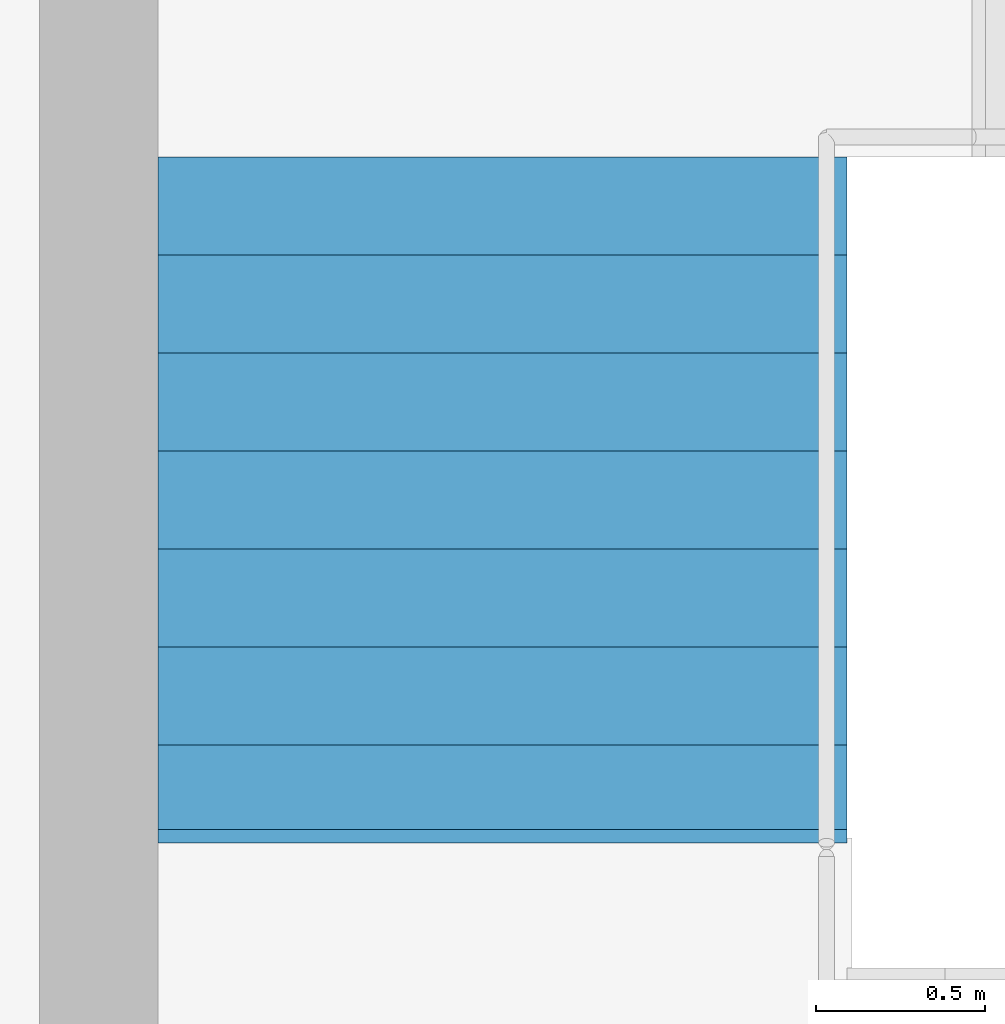
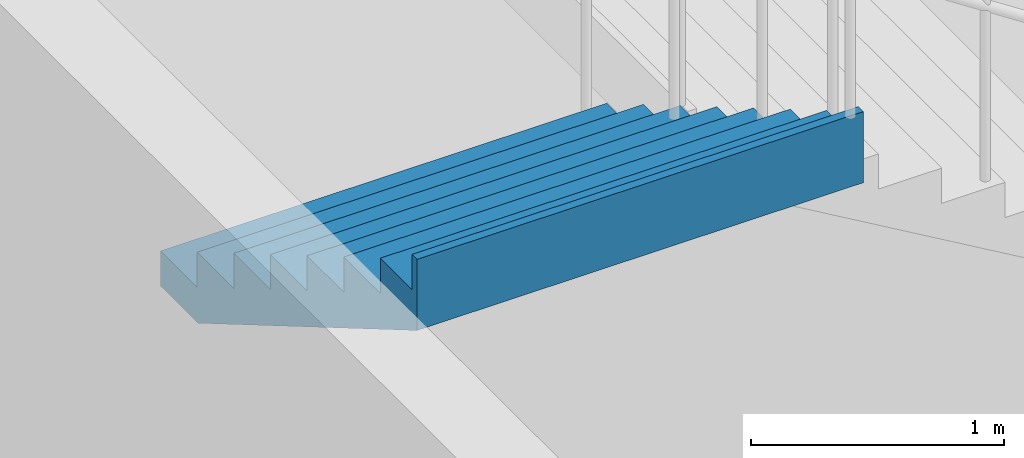
# One storey, part 57 of 72: 1 stair flight, 1 element without a shape of its own.
"""IFC4 building model written with IfcOpenShell, lengths in metres."""

import ifcopenshell
import ifcopenshell.guid

model = None  # the IFC model being written
_history = None  # IfcOwnerHistory: only IFC2X3 demands one
_inside = {}  # id of a spatial element -> (the spatial element, [elements in it])
_under = {}  # id of a project, library or spatial element -> (it, [spatial elements below it])
_declared = {}  # id of a project -> (the project, [libraries it declares])
_typed = {}  # id of a type object -> (the type object, [elements of that type])
_made_of = {}  # id of a material, layer set ... -> (it, [elements and type objects made of it])


def new_model(schema):
    """Start an empty IFC model of exactly this schema.

    Asked for "IFC4X3", IfcOpenShell would pick the latest addendum, in which some entities
    have other attributes; the version numbers below select the first issue.
    IFC2X3 requires an IfcOwnerHistory on every rooted entity: one is made here for all.
    """
    global model, _history
    if schema == "IFC4X3":
        model = ifcopenshell.file(schema_version=(4, 3, 0, 0))
    else:
        model = ifcopenshell.file(schema=schema)
    _inside.clear()
    _under.clear()
    _declared.clear()
    _typed.clear()
    _made_of.clear()
    _history = None
    if model.schema == "IFC2X3":
        org = make("IfcOrganization", Name="unknown")
        user = make(
            "IfcPersonAndOrganization",
            ThePerson=make("IfcPerson", FamilyName="unknown"),
            TheOrganization=org,
        )
        app = make(
            "IfcApplication",
            ApplicationDeveloper=org,
            Version="unknown",
            ApplicationFullName="unknown",
            ApplicationIdentifier="unknown",
        )
        _history = make(
            "IfcOwnerHistory",
            OwningUser=user,
            OwningApplication=app,
            ChangeAction="ADDED",
            CreationDate=0,
        )
    return model


def make(cls, **values):
    """One entity of the class cls with the attributes given. An attribute that is None is left unset."""
    return model.create_entity(
        cls, **{name: value for name, value in values.items() if value is not None}
    )


def rooted(cls, **values):
    """An entity with a GlobalId (a new one), such as an element, a storey or a relation."""
    return make(cls, GlobalId=ifcopenshell.guid.new(), OwnerHistory=_history, **values)


def si_unit(unit_type, name, prefix=None):
    """IfcSIUnit, for example si_unit("LENGTHUNIT", "METRE", prefix="MILLI")."""
    return make("IfcSIUnit", UnitType=unit_type, Prefix=prefix, Name=name)


def assignment(units):
    """IfcUnitAssignment: the units of a project."""
    return None if units is None else make("IfcUnitAssignment", Units=units)


def point(xyz):
    """IfcCartesianPoint."""
    return None if xyz is None else make("IfcCartesianPoint", Coordinates=xyz)


def direction(xyz):
    """IfcDirection."""
    return None if xyz is None else make("IfcDirection", DirectionRatios=xyz)


def frame(location, z_axis=None, x_axis=None):
    """IfcAxis2Placement3D, a coordinate frame: its origin and axes. An axis left out is left unset."""
    return make(
        "IfcAxis2Placement3D",
        Location=point(location),
        Axis=direction(z_axis),
        RefDirection=direction(x_axis),
    )


def origin():
    """The frame at (0, 0, 0) with its axes left unset."""
    return frame((0.0, 0.0, 0.0))


def place(relative_to, where):
    """IfcLocalPlacement: puts the frame where relative to a parent placement (None: the world)."""
    return make(
        "IfcLocalPlacement", PlacementRelTo=relative_to, RelativePlacement=where
    )


def context(
    kind, dimensions, precision=None, world=None, true_north=None, identifier=None
):
    """IfcGeometricRepresentationContext, for example the 3D "Model" context."""
    return make(
        "IfcGeometricRepresentationContext",
        ContextIdentifier=identifier,
        ContextType=kind,
        CoordinateSpaceDimension=dimensions,
        Precision=precision,
        WorldCoordinateSystem=world,
        TrueNorth=true_north,
    )


def subcontext(parent, identifier, kind, view, scale=None):
    """IfcGeometricRepresentationSubContext, for example "Body" below "Model"."""
    return make(
        "IfcGeometricRepresentationSubContext",
        ContextIdentifier=identifier,
        ContextType=kind,
        ParentContext=parent,
        TargetScale=scale,
        TargetView=view,
    )


def project(units=None, contexts=None):
    """IfcProject with its units and contexts."""
    return rooted(
        "IfcProject",
        Name="project",
        RepresentationContexts=contexts,
        UnitsInContext=assignment(units),
    )


def spatial(cls, under=None, at=None, **own):
    """A site, building, storey or space (cls), placed at a placement, below another one or the project."""
    s = rooted(cls, ObjectPlacement=at, **own)
    if under is not None:
        _under.setdefault(under.id(), (under, []))[1].append(s)
    return s


def point_list(points):
    """IfcCartesianPointList2D or 3D."""
    cls = (
        "IfcCartesianPointList2D" if len(points[0]) == 2 else "IfcCartesianPointList3D"
    )
    return make(cls, CoordList=points)


def triangles(points, corners, closed=None, point_numbers=None):
    """IfcTriangulatedFaceSet: each triangle names its three corners, points numbered from 1."""
    return make(
        "IfcTriangulatedFaceSet",
        Coordinates=point_list(points),
        Closed=closed,
        CoordIndex=corners,
        PnIndex=point_numbers,
    )


def shape(context_of_items, identifier, shape_type, items):
    """IfcShapeRepresentation: the items that make up one representation, for example the "Body"."""
    return make(
        "IfcShapeRepresentation",
        ContextOfItems=context_of_items,
        RepresentationIdentifier=identifier,
        RepresentationType=shape_type,
        Items=items,
    )


def material(Name=None, Category=None):
    """IfcMaterial."""
    return make("IfcMaterial", Name=Name, Category=Category)


def made_of(thing, what):
    """Note that an element or type object is made of a material, layer set ...; save() writes the relation."""
    if what is not None:
        _made_of.setdefault(what.id(), (what, []))[1].append(thing)
    return thing


def type_object(cls, material=None, **own):
    """A type object (cls), such as IfcWallType, which elements share."""
    return made_of(rooted(cls, **own), material)


def element(
    cls,
    number,
    at=None,
    inside=None,
    cuts=None,
    type_object=None,
    material=None,
    context=None,
    identifier="Body",
    shape_type=None,
    held_by="IfcProductDefinitionShape",
    body=None,
    shapes=None,
    **own,
):
    """One element of the class cls, such as IfcWall. Its Tag is "e" and its number.

    at: its placement. inside: the storey or other place that contains it. cuts: it is an
    opening in that element (IfcRelVoidsElement). A single representation is given by context,
    identifier, shape_type and body (its items); several are given by shapes. held_by: the class
    of the entity that holds the representations. save() writes the other relations.
    """
    e = rooted(cls, Tag="e%d" % number, ObjectPlacement=at, **own)
    if body is not None:
        shapes = [shape(context, identifier, shape_type, body)]
    if shapes is not None:
        e.Representation = make(held_by, Representations=shapes)
    if inside is not None:
        _inside.setdefault(inside.id(), (inside, []))[1].append(e)
    if cuts is not None:
        rooted(
            "IfcRelVoidsElement", RelatingBuildingElement=cuts, RelatedOpeningElement=e
        )
    if type_object is not None:
        _typed.setdefault(type_object.id(), (type_object, []))[1].append(e)
    return made_of(e, material)


def aggregate(whole, parts):
    """IfcRelAggregates: a whole, such as a stair, and the parts it consists of."""
    return rooted("IfcRelAggregates", RelatingObject=whole, RelatedObjects=parts)


def save(model, path):
    """Write the relations noted so far, then the file.

    IfcRelAggregates (storeys below a building ...), IfcRelContainedInSpatialStructure (elements
    in a storey), IfcRelDefinesByType, IfcRelAssociatesMaterial and IfcRelDeclares: one each for
    every whole, place, type object, material and project.
    """
    for whole, parts in _under.values():
        aggregate(whole, parts)
    for where, things in _inside.values():
        rooted(
            "IfcRelContainedInSpatialStructure",
            RelatedElements=things,
            RelatingStructure=where,
        )
    for kind, things in _typed.values():
        rooted("IfcRelDefinesByType", RelatedObjects=things, RelatingType=kind)
    for what, things in _made_of.values():
        rooted("IfcRelAssociatesMaterial", RelatedObjects=things, RelatingMaterial=what)
    for by, libraries in _declared.values():
        rooted("IfcRelDeclares", RelatingContext=by, RelatedDefinitions=libraries)
    model.write(path)


model = new_model("IFC4")

# Units and contexts
model_context = context("Model", 3, precision=1e-05, world=origin(), true_north=direction((0.0, 1.0)))
body_context = subcontext(model_context, "Body", "Model", "MODEL_VIEW")
ifc_project = project(units=[si_unit("LENGTHUNIT", "METRE"), si_unit("AREAUNIT", "SQUARE_METRE"), si_unit("VOLUMEUNIT", "CUBIC_METRE"), si_unit("PLANEANGLEUNIT", "RADIAN"), si_unit("MASSUNIT", "GRAM", prefix="KILO")], contexts=[model_context])

# Site, building, storey
site_placement = place(None, origin())
site = spatial("IfcSite", under=ifc_project, at=site_placement, CompositionType="ELEMENT")
building_placement = place(site_placement, origin())
building = spatial("IfcBuilding", under=site, at=building_placement, Name="Sillaruma Civic Art Gallery", CompositionType="ELEMENT")
storey_placement = place(building_placement, frame((0.0, 0.0, 10.8798828125)))
storey = spatial("IfcBuildingStorey", under=building, at=storey_placement, Name="L02", CompositionType="ELEMENT", Elevation=10.8798828125)

# Stair, stair flight
ifc_material = material(Name="Concrete H35 (35 MPa)", Category="concrete")
stair_type = type_object("IfcStairType", Name="STR-4F-32", PredefinedType="USERDEFINED", material=ifc_material)
stair_placement = place(storey_placement, origin())
stair = element("IfcStair", 1, at=stair_placement, inside=storey, type_object=stair_type, Name="Protected Exit Stair ST-02 (West Bar North) (L02)", ObjectType="THREE_RETURN_STAIR", PredefinedType="USERDEFINED")
stair_flight_type = type_object("IfcStairFlightType", Name="SFL-STR-8", PredefinedType="STRAIGHT", material=ifc_material)
stair_flight_placement = place(storey_placement, frame((63.780029296875, 85.35009765625, 4.080078125), z_axis=(0.0, 0.0, 1.0), x_axis=(0.0, -1.0, 0.0)))
stair_flight = element("IfcStairFlight", 2, at=stair_flight_placement, type_object=stair_flight_type, Name="ST-02 flight 4", NumberOfRisers=8, NumberOfTreads=7, PredefinedType="STRAIGHT", RiserHeight=0.17, TreadLength=0.29, context=body_context, shape_type="Tessellation", body=[
    triangles([(0.0, -1.02001953125, 0.0), (0.29, -1.02001953125, 0.0), (0.296443, -1.02001953125, 0.0), (0.58, -1.02001953125, 0.166223), (0.87, -1.02001953125, 0.336223), (1.16, -1.02001953125, 0.506223), (1.45, -1.02001953125, 0.676223), (1.74, -1.02001953125, 0.846223), (1.990029, -1.02001953125, 0.992792), (2.030029, -1.02001953125, 1.01624), (2.030029, -1.02001953125, 1.36), (1.990029, -1.02001953125, 1.36), (1.990029, -1.02001953125, 1.19), (1.74, -1.02001953125, 1.19), (1.74, -1.02001953125, 1.02), (1.45, -1.02001953125, 1.02), (1.45, -1.02001953125, 0.85), (1.16, -1.02001953125, 0.85), (1.16, -1.02001953125, 0.68), (0.87, -1.02001953125, 0.68), (0.87, -1.02001953125, 0.51), (0.58, -1.02001953125, 0.51), (0.58, -1.02001953125, 0.34), (0.296443, -1.02001953125, 0.34), (0.29, -1.02001953125, 0.34), (0.29, -1.02001953125, 0.17), (0.0, -1.02001953125, 0.17), (0.0, -0.05, 0.0), (0.29, -0.05, 0.0), (0.296443, -0.05, 0.0), (0.58, -0.05, 0.166223), (0.87, -0.05, 0.336223), (1.16, -0.05, 0.506223), (1.45, -0.05, 0.676223), (1.74, -0.05, 0.846223), (1.990029, -0.05, 0.992792), (2.030029, -0.05, 1.01624), (2.030029, -0.05, 1.36), (1.990029, -0.05, 1.36), (1.990029, -0.05, 1.19), (1.74, -0.05, 1.19), (1.74, -0.05, 1.02), (1.45, -0.05, 1.02), (1.45, -0.05, 0.85), (1.16, -0.05, 0.85), (1.16, -0.05, 0.68), (0.87, -0.05, 0.68), (0.87, -0.05, 0.51), (0.58, -0.05, 0.51), (0.58, -0.05, 0.34), (0.296443, -0.05, 0.34), (0.29, -0.05, 0.34), (0.29, -0.05, 0.17), (0.0, -0.05, 0.17), (0.0, -0.0375, 0.0), (0.29, -0.0375, 0.0), (0.296443, -0.0375, 0.0), (0.58, -0.0375, 0.166223), (0.87, -0.0375, 0.336223), (1.16, -0.0375, 0.506223), (1.45, -0.0375, 0.676223), (1.74, -0.0375, 0.846223), (1.990029, -0.0375, 0.992792), (2.030029, -0.0375, 1.01624), (2.030029, -0.0375, 1.36), (1.990029, -0.0375, 1.36), (1.990029, -0.0375, 1.19), (1.74, -0.0375, 1.19), (1.74, -0.0375, 1.02), (1.45, -0.0375, 1.02), (1.45, -0.0375, 0.85), (1.16, -0.0375, 0.85), (1.16, -0.0375, 0.68), (0.87, -0.0375, 0.68), (0.87, -0.0375, 0.51), (0.58, -0.0375, 0.51), (0.58, -0.0375, 0.34), (0.296443, -0.0375, 0.34), (0.29, -0.0375, 0.34), (0.29, -0.0375, 0.17), (0.0, -0.0375, 0.17), (0.0, -0.025, 0.0), (0.29, -0.025, 0.0), (0.296443, -0.025, 0.0), (0.58, -0.025, 0.166223), (0.87, -0.025, 0.336223), (1.16, -0.025, 0.506223), (1.45, -0.025, 0.676223), (1.74, -0.025, 0.846223), (1.990029, -0.025, 0.992792), (2.030029, -0.025, 1.01624), (2.030029, -0.025, 1.36), (1.990029, -0.025, 1.36), (1.990029, -0.025, 1.19), (1.74, -0.025, 1.19), (1.74, -0.025, 1.02), (1.45, -0.025, 1.02), (1.45, -0.025, 0.85), (1.16, -0.025, 0.85), (1.16, -0.025, 0.68), (0.87, -0.025, 0.68), (0.87, -0.025, 0.51), (0.58, -0.025, 0.51), (0.58, -0.025, 0.34), (0.296443, -0.025, 0.34), (0.29, -0.025, 0.34), (0.29, -0.025, 0.17), (0.0, -0.025, 0.17), (0.0, -0.0125, 0.0), (0.29, -0.0125, 0.0), (0.296443, -0.0125, 0.0), (0.58, -0.0125, 0.166223), (0.87, -0.0125, 0.336223), (1.16, -0.0125, 0.506223), (1.45, -0.0125, 0.676223), (1.74, -0.0125, 0.846223), (1.990029, -0.0125, 0.992792), (2.030029, -0.0125, 1.01624), (2.030029, -0.0125, 1.36), (1.990029, -0.0125, 1.36), (1.990029, -0.0125, 1.19), (1.74, -0.0125, 1.19), (1.74, -0.0125, 1.02), (1.45, -0.0125, 1.02), (1.45, -0.0125, 0.85), (1.16, -0.0125, 0.85), (1.16, -0.0125, 0.68), (0.87, -0.0125, 0.68), (0.87, -0.0125, 0.51), (0.58, -0.0125, 0.51), (0.58, -0.0125, 0.34), (0.296443, -0.0125, 0.34), (0.29, -0.0125, 0.34), (0.29, -0.0125, 0.17), (0.0, -0.0125, 0.17), (0.0, 0.0, 0.0), (0.29, 0.0, 0.0), (0.296443, 0.0, 0.0), (0.58, 0.0, 0.166223), (0.87, 0.0, 0.336223), (1.16, 0.0, 0.506223), (1.45, 0.0, 0.676223), (1.74, 0.0, 0.846223), (1.990029, 0.0, 0.992792), (2.030029, 0.0, 1.01624), (2.030029, 0.0, 1.36), (1.990029, 0.0, 1.36), (1.990029, 0.0, 1.19), (1.74, 0.0, 1.19), (1.74, 0.0, 1.02), (1.45, 0.0, 1.02), (1.45, 0.0, 0.85), (1.16, 0.0, 0.85), (1.16, 0.0, 0.68), (0.87, 0.0, 0.68), (0.87, 0.0, 0.51), (0.58, 0.0, 0.51), (0.58, 0.0, 0.34), (0.296443, 0.0, 0.34), (0.29, 0.0, 0.34), (0.29, 0.0, 0.17), (0.0, 0.0, 0.17), (0.0, 0.0125, 0.0), (0.29, 0.0125, 0.0), (0.296443, 0.0125, 0.0), (0.58, 0.0125, 0.166223), (0.87, 0.0125, 0.336223), (1.16, 0.0125, 0.506223), (1.45, 0.0125, 0.676223), (1.74, 0.0125, 0.846223), (1.990029, 0.0125, 0.992792), (2.030029, 0.0125, 1.01624), (2.030029, 0.0125, 1.36), (1.990029, 0.0125, 1.36), (1.990029, 0.0125, 1.19), (1.74, 0.0125, 1.19), (1.74, 0.0125, 1.02), (1.45, 0.0125, 1.02), (1.45, 0.0125, 0.85), (1.16, 0.0125, 0.85), (1.16, 0.0125, 0.68), (0.87, 0.0125, 0.68), (0.87, 0.0125, 0.51), (0.58, 0.0125, 0.51), (0.58, 0.0125, 0.34), (0.296443, 0.0125, 0.34), (0.29, 0.0125, 0.34), (0.29, 0.0125, 0.17), (0.0, 0.0125, 0.17), (0.0, 0.025, 0.0), (0.29, 0.025, 0.0), (0.296443, 0.025, 0.0), (0.58, 0.025, 0.166223), (0.87, 0.025, 0.336223), (1.16, 0.025, 0.506223), (1.45, 0.025, 0.676223), (1.74, 0.025, 0.846223), (1.990029, 0.025, 0.992792), (2.030029, 0.025, 1.01624), (2.030029, 0.025, 1.36), (1.990029, 0.025, 1.36), (1.990029, 0.025, 1.19), (1.74, 0.025, 1.19), (1.74, 0.025, 1.02), (1.45, 0.025, 1.02), (1.45, 0.025, 0.85), (1.16, 0.025, 0.85), (1.16, 0.025, 0.68), (0.87, 0.025, 0.68), (0.87, 0.025, 0.51), (0.58, 0.025, 0.51), (0.58, 0.025, 0.34), (0.296443, 0.025, 0.34), (0.29, 0.025, 0.34), (0.29, 0.025, 0.17), (0.0, 0.025, 0.17), (0.0, 0.0375, 0.0), (0.29, 0.0375, 0.0), (0.296443, 0.0375, 0.0), (0.58, 0.0375, 0.166223), (0.87, 0.0375, 0.336223), (1.16, 0.0375, 0.506223), (1.45, 0.0375, 0.676223), (1.74, 0.0375, 0.846223), (1.990029, 0.0375, 0.992792), (2.030029, 0.0375, 1.01624), (2.030029, 0.0375, 1.36), (1.990029, 0.0375, 1.36), (1.990029, 0.0375, 1.19), (1.74, 0.0375, 1.19), (1.74, 0.0375, 1.02), (1.45, 0.0375, 1.02), (1.45, 0.0375, 0.85), (1.16, 0.0375, 0.85), (1.16, 0.0375, 0.68), (0.87, 0.0375, 0.68), (0.87, 0.0375, 0.51), (0.58, 0.0375, 0.51), (0.58, 0.0375, 0.34), (0.296443, 0.0375, 0.34), (0.29, 0.0375, 0.34), (0.29, 0.0375, 0.17), (0.0, 0.0375, 0.17), (0.0, 0.05, 0.0), (0.29, 0.05, 0.0), (0.296443, 0.05, 0.0), (0.58, 0.05, 0.166223), (0.87, 0.05, 0.336223), (1.16, 0.05, 0.506223), (1.45, 0.05, 0.676223), (1.74, 0.05, 0.846223), (1.990029, 0.05, 0.992792), (2.030029, 0.05, 1.01624), (2.030029, 0.05, 1.36), (1.990029, 0.05, 1.36), (1.990029, 0.05, 1.19), (1.74, 0.05, 1.19), (1.74, 0.05, 1.02), (1.45, 0.05, 1.02), (1.45, 0.05, 0.85), (1.16, 0.05, 0.85), (1.16, 0.05, 0.68), (0.87, 0.05, 0.68), (0.87, 0.05, 0.51), (0.58, 0.05, 0.51), (0.58, 0.05, 0.34), (0.296443, 0.05, 0.34), (0.29, 0.05, 0.34), (0.29, 0.05, 0.17), (0.0, 0.05, 0.17), (0.0, 1.02001953125, 0.0), (0.29, 1.02001953125, 0.0), (0.296443, 1.02001953125, 0.0), (0.58, 1.02001953125, 0.166223), (0.87, 1.02001953125, 0.336223), (1.16, 1.02001953125, 0.506223), (1.45, 1.02001953125, 0.676223), (1.74, 1.02001953125, 0.846223), (1.990029, 1.02001953125, 0.992792), (2.030029, 1.02001953125, 1.01624), (2.030029, 1.02001953125, 1.36), (1.990029, 1.02001953125, 1.36), (1.990029, 1.02001953125, 1.19), (1.74, 1.02001953125, 1.19), (1.74, 1.02001953125, 1.02), (1.45, 1.02001953125, 1.02), (1.45, 1.02001953125, 0.85), (1.16, 1.02001953125, 0.85), (1.16, 1.02001953125, 0.68), (0.87, 1.02001953125, 0.68), (0.87, 1.02001953125, 0.51), (0.58, 1.02001953125, 0.51), (0.58, 1.02001953125, 0.34), (0.296443, 1.02001953125, 0.34), (0.29, 1.02001953125, 0.34), (0.29, 1.02001953125, 0.17), (0.0, 1.02001953125, 0.17)], [[1, 2, 26], [1, 26, 27], [2, 3, 24], [2, 24, 26], [26, 24, 25], [3, 4, 23], [3, 23, 24], [4, 5, 21], [4, 21, 23], [23, 21, 22], [5, 6, 19], [5, 19, 21], [21, 19, 20], [6, 7, 17], [6, 17, 19], [19, 17, 18], [7, 8, 15], [7, 15, 17], [17, 15, 16], [8, 9, 13], [8, 13, 15], [15, 13, 14], [9, 10, 11], [9, 11, 13], [13, 11, 12], [296, 272, 271], [297, 296, 271], [294, 273, 272], [296, 294, 272], [295, 294, 296], [293, 274, 273], [294, 293, 273], [291, 275, 274], [293, 291, 274], [292, 291, 293], [289, 276, 275], [291, 289, 275], [290, 289, 291], [287, 277, 276], [289, 287, 276], [288, 287, 289], [285, 278, 277], [287, 285, 277], [286, 285, 287], [283, 279, 278], [285, 283, 278], [284, 283, 285], [281, 280, 279], [283, 281, 279], [282, 281, 283], [2, 1, 28], [2, 28, 29], [3, 2, 29], [3, 29, 30], [4, 3, 30], [4, 30, 31], [5, 4, 31], [5, 31, 32], [6, 5, 32], [6, 32, 33], [7, 6, 33], [7, 33, 34], [8, 7, 34], [8, 34, 35], [9, 8, 35], [9, 35, 36], [10, 9, 36], [10, 36, 37], [11, 10, 37], [11, 37, 38], [12, 11, 38], [12, 38, 39], [13, 12, 39], [13, 39, 40], [14, 13, 40], [14, 40, 41], [15, 14, 41], [15, 41, 42], [16, 15, 42], [16, 42, 43], [17, 16, 43], [17, 43, 44], [18, 17, 44], [18, 44, 45], [19, 18, 45], [19, 45, 46], [20, 19, 46], [20, 46, 47], [21, 20, 47], [21, 47, 48], [22, 21, 48], [22, 48, 49], [23, 22, 49], [23, 49, 50], [24, 23, 50], [24, 50, 51], [25, 24, 51], [25, 51, 52], [26, 25, 52], [26, 52, 53], [27, 26, 53], [27, 53, 54], [1, 27, 54], [1, 54, 28], [29, 28, 55], [29, 55, 56], [30, 29, 56], [30, 56, 57], [31, 30, 57], [31, 57, 58], [32, 31, 58], [32, 58, 59], [33, 32, 59], [33, 59, 60], [34, 33, 60], [34, 60, 61], [35, 34, 61], [35, 61, 62], [36, 35, 62], [36, 62, 63], [37, 36, 63], [37, 63, 64], [38, 37, 64], [38, 64, 65], [39, 38, 65], [39, 65, 66], [40, 39, 66], [40, 66, 67], [41, 40, 67], [41, 67, 68], [42, 41, 68], [42, 68, 69], [43, 42, 69], [43, 69, 70], [44, 43, 70], [44, 70, 71], [45, 44, 71], [45, 71, 72], [46, 45, 72], [46, 72, 73], [47, 46, 73], [47, 73, 74], [48, 47, 74], [48, 74, 75], [49, 48, 75], [49, 75, 76], [50, 49, 76], [50, 76, 77], [51, 50, 77], [51, 77, 78], [52, 51, 78], [52, 78, 79], [53, 52, 79], [53, 79, 80], [54, 53, 80], [54, 80, 81], [28, 54, 81], [28, 81, 55], [56, 55, 82], [56, 82, 83], [57, 56, 83], [57, 83, 84], [58, 57, 84], [58, 84, 85], [59, 58, 85], [59, 85, 86], [60, 59, 86], [60, 86, 87], [61, 60, 87], [61, 87, 88], [62, 61, 88], [62, 88, 89], [63, 62, 89], [63, 89, 90], [64, 63, 90], [64, 90, 91], [65, 64, 91], [65, 91, 92], [66, 65, 92], [66, 92, 93], [67, 66, 93], [67, 93, 94], [68, 67, 94], [68, 94, 95], [69, 68, 95], [69, 95, 96], [70, 69, 96], [70, 96, 97], [71, 70, 97], [71, 97, 98], [72, 71, 98], [72, 98, 99], [73, 72, 99], [73, 99, 100], [74, 73, 100], [74, 100, 101], [75, 74, 101], [75, 101, 102], [76, 75, 102], [76, 102, 103], [77, 76, 103], [77, 103, 104], [78, 77, 104], [78, 104, 105], [79, 78, 105], [79, 105, 106], [80, 79, 106], [80, 106, 107], [81, 80, 107], [81, 107, 108], [55, 81, 108], [55, 108, 82], [83, 82, 109], [83, 109, 110], [84, 83, 110], [84, 110, 111], [85, 84, 111], [85, 111, 112], [86, 85, 112], [86, 112, 113], [87, 86, 113], [87, 113, 114], [88, 87, 114], [88, 114, 115], [89, 88, 115], [89, 115, 116], [90, 89, 116], [90, 116, 117], [91, 90, 117], [91, 117, 118], [92, 91, 118], [92, 118, 119], [93, 92, 119], [93, 119, 120], [94, 93, 120], [94, 120, 121], [95, 94, 121], [95, 121, 122], [96, 95, 122], [96, 122, 123], [97, 96, 123], [97, 123, 124], [98, 97, 124], [98, 124, 125], [99, 98, 125], [99, 125, 126], [100, 99, 126], [100, 126, 127], [101, 100, 127], [101, 127, 128], [102, 101, 128], [102, 128, 129], [103, 102, 129], [103, 129, 130], [104, 103, 130], [104, 130, 131], [105, 104, 131], [105, 131, 132], [106, 105, 132], [106, 132, 133], [107, 106, 133], [107, 133, 134], [108, 107, 134], [108, 134, 135], [82, 108, 135], [82, 135, 109], [110, 109, 136], [110, 136, 137], [111, 110, 137], [111, 137, 138], [112, 111, 138], [112, 138, 139], [113, 112, 139], [113, 139, 140], [114, 113, 140], [114, 140, 141], [115, 114, 141], [115, 141, 142], [116, 115, 142], [116, 142, 143], [117, 116, 143], [117, 143, 144], [118, 117, 144], [118, 144, 145], [119, 118, 145], [119, 145, 146], [120, 119, 146], [120, 146, 147], [121, 120, 147], [121, 147, 148], [122, 121, 148], [122, 148, 149], [123, 122, 149], [123, 149, 150], [124, 123, 150], [124, 150, 151], [125, 124, 151], [125, 151, 152], [126, 125, 152], [126, 152, 153], [127, 126, 153], [127, 153, 154], [128, 127, 154], [128, 154, 155], [129, 128, 155], [129, 155, 156], [130, 129, 156], [130, 156, 157], [131, 130, 157], [131, 157, 158], [132, 131, 158], [132, 158, 159], [133, 132, 159], [133, 159, 160], [134, 133, 160], [134, 160, 161], [135, 134, 161], [135, 161, 162], [109, 135, 162], [109, 162, 136], [137, 136, 163], [137, 163, 164], [138, 137, 164], [138, 164, 165], [139, 138, 165], [139, 165, 166], [140, 139, 166], [140, 166, 167], [141, 140, 167], [141, 167, 168], [142, 141, 168], [142, 168, 169], [143, 142, 169], [143, 169, 170], [144, 143, 170], [144, 170, 171], [145, 144, 171], [145, 171, 172], [146, 145, 172], [146, 172, 173], [147, 146, 173], [147, 173, 174], [148, 147, 174], [148, 174, 175], [149, 148, 175], [149, 175, 176], [150, 149, 176], [150, 176, 177], [151, 150, 177], [151, 177, 178], [152, 151, 178], [152, 178, 179], [153, 152, 179], [153, 179, 180], [154, 153, 180], [154, 180, 181], [155, 154, 181], [155, 181, 182], [156, 155, 182], [156, 182, 183], [157, 156, 183], [157, 183, 184], [158, 157, 184], [158, 184, 185], [159, 158, 185], [159, 185, 186], [160, 159, 186], [160, 186, 187], [161, 160, 187], [161, 187, 188], [162, 161, 188], [162, 188, 189], [136, 162, 189], [136, 189, 163], [164, 163, 190], [164, 190, 191], [165, 164, 191], [165, 191, 192], [166, 165, 192], [166, 192, 193], [167, 166, 193], [167, 193, 194], [168, 167, 194], [168, 194, 195], [169, 168, 195], [169, 195, 196], [170, 169, 196], [170, 196, 197], [171, 170, 197], [171, 197, 198], [172, 171, 198], [172, 198, 199], [173, 172, 199], [173, 199, 200], [174, 173, 200], [174, 200, 201], [175, 174, 201], [175, 201, 202], [176, 175, 202], [176, 202, 203], [177, 176, 203], [177, 203, 204], [178, 177, 204], [178, 204, 205], [179, 178, 205], [179, 205, 206], [180, 179, 206], [180, 206, 207], [181, 180, 207], [181, 207, 208], [182, 181, 208], [182, 208, 209], [183, 182, 209], [183, 209, 210], [184, 183, 210], [184, 210, 211], [185, 184, 211], [185, 211, 212], [186, 185, 212], [186, 212, 213], [187, 186, 213], [187, 213, 214], [188, 187, 214], [188, 214, 215], [189, 188, 215], [189, 215, 216], [163, 189, 216], [163, 216, 190], [191, 190, 217], [191, 217, 218], [192, 191, 218], [192, 218, 219], [193, 192, 219], [193, 219, 220], [194, 193, 220], [194, 220, 221], [195, 194, 221], [195, 221, 222], [196, 195, 222], [196, 222, 223], [197, 196, 223], [197, 223, 224], [198, 197, 224], [198, 224, 225], [199, 198, 225], [199, 225, 226], [200, 199, 226], [200, 226, 227], [201, 200, 227], [201, 227, 228], [202, 201, 228], [202, 228, 229], [203, 202, 229], [203, 229, 230], [204, 203, 230], [204, 230, 231], [205, 204, 231], [205, 231, 232], [206, 205, 232], [206, 232, 233], [207, 206, 233], [207, 233, 234], [208, 207, 234], [208, 234, 235], [209, 208, 235], [209, 235, 236], [210, 209, 236], [210, 236, 237], [211, 210, 237], [211, 237, 238], [212, 211, 238], [212, 238, 239], [213, 212, 239], [213, 239, 240], [214, 213, 240], [214, 240, 241], [215, 214, 241], [215, 241, 242], [216, 215, 242], [216, 242, 243], [190, 216, 243], [190, 243, 217], [218, 217, 244], [218, 244, 245], [219, 218, 245], [219, 245, 246], [220, 219, 246], [220, 246, 247], [221, 220, 247], [221, 247, 248], [222, 221, 248], [222, 248, 249], [223, 222, 249], [223, 249, 250], [224, 223, 250], [224, 250, 251], [225, 224, 251], [225, 251, 252], [226, 225, 252], [226, 252, 253], [227, 226, 253], [227, 253, 254], [228, 227, 254], [228, 254, 255], [229, 228, 255], [229, 255, 256], [230, 229, 256], [230, 256, 257], [231, 230, 257], [231, 257, 258], [232, 231, 258], [232, 258, 259], [233, 232, 259], [233, 259, 260], [234, 233, 260], [234, 260, 261], [235, 234, 261], [235, 261, 262], [236, 235, 262], [236, 262, 263], [237, 236, 263], [237, 263, 264], [238, 237, 264], [238, 264, 265], [239, 238, 265], [239, 265, 266], [240, 239, 266], [240, 266, 267], [241, 240, 267], [241, 267, 268], [242, 241, 268], [242, 268, 269], [243, 242, 269], [243, 269, 270], [217, 243, 270], [217, 270, 244], [245, 244, 271], [245, 271, 272], [246, 245, 272], [246, 272, 273], [247, 246, 273], [247, 273, 274], [248, 247, 274], [248, 274, 275], [249, 248, 275], [249, 275, 276], [250, 249, 276], [250, 276, 277], [251, 250, 277], [251, 277, 278], [252, 251, 278], [252, 278, 279], [253, 252, 279], [253, 279, 280], [254, 253, 280], [254, 280, 281], [255, 254, 281], [255, 281, 282], [256, 255, 282], [256, 282, 283], [257, 256, 283], [257, 283, 284], [258, 257, 284], [258, 284, 285], [259, 258, 285], [259, 285, 286], [260, 259, 286], [260, 286, 287], [261, 260, 287], [261, 287, 288], [262, 261, 288], [262, 288, 289], [263, 262, 289], [263, 289, 290], [264, 263, 290], [264, 290, 291], [265, 264, 291], [265, 291, 292], [266, 265, 292], [266, 292, 293], [267, 266, 293], [267, 293, 294], [268, 267, 294], [268, 294, 295], [269, 268, 295], [269, 295, 296], [270, 269, 296], [270, 296, 297], [244, 270, 297], [244, 297, 271]], closed=True),
])
aggregate(stair, [stair_flight])

save(model, "model.ifc")
